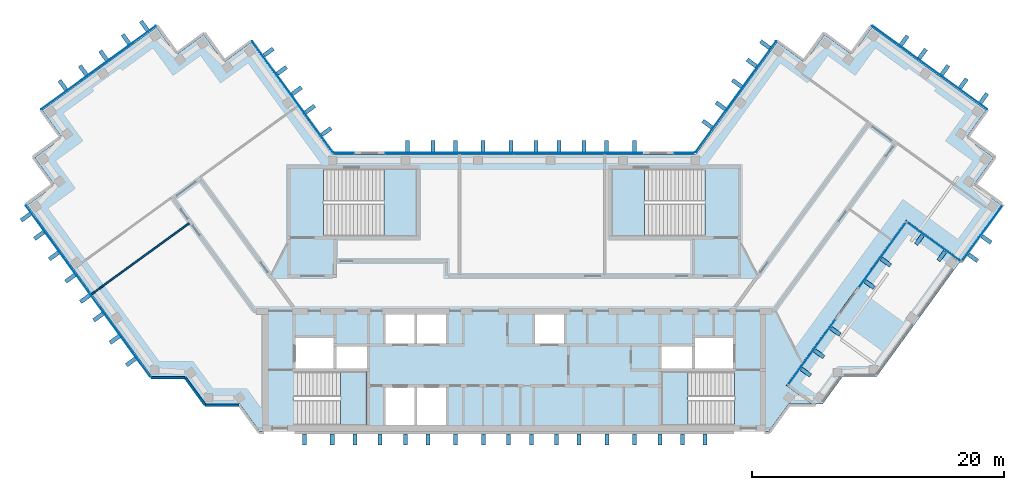
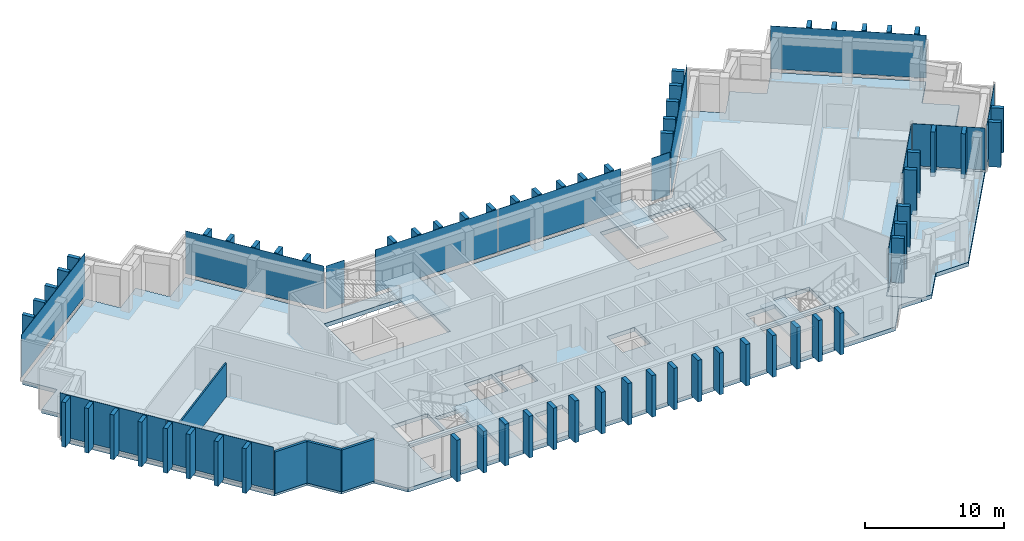
"""IFC4 building model written with IfcOpenShell, lengths in metres."""

import ifcopenshell
import ifcopenshell.guid

model = None  # the IFC model being written
_history = None  # IfcOwnerHistory: only IFC2X3 demands one
_inside = {}  # id of a spatial element -> (the spatial element, [elements in it])
_under = {}  # id of a project, library or spatial element -> (it, [spatial elements below it])
_declared = {}  # id of a project -> (the project, [libraries it declares])
_typed = {}  # id of a type object -> (the type object, [elements of that type])
_made_of = {}  # id of a material, layer set ... -> (it, [elements and type objects made of it])


def new_model(schema):
    """Start an empty IFC model of exactly this schema.

    Asked for "IFC4X3", IfcOpenShell would pick the latest addendum, in which some entities
    have other attributes; the version numbers below select the first issue.
    IFC2X3 requires an IfcOwnerHistory on every rooted entity: one is made here for all.
    """
    global model, _history
    if schema == "IFC4X3":
        model = ifcopenshell.file(schema_version=(4, 3, 0, 0))
    else:
        model = ifcopenshell.file(schema=schema)
    _inside.clear()
    _under.clear()
    _declared.clear()
    _typed.clear()
    _made_of.clear()
    _history = None
    if model.schema == "IFC2X3":
        org = make("IfcOrganization", Name="unknown")
        user = make(
            "IfcPersonAndOrganization",
            ThePerson=make("IfcPerson", FamilyName="unknown"),
            TheOrganization=org,
        )
        app = make(
            "IfcApplication",
            ApplicationDeveloper=org,
            Version="unknown",
            ApplicationFullName="unknown",
            ApplicationIdentifier="unknown",
        )
        _history = make(
            "IfcOwnerHistory",
            OwningUser=user,
            OwningApplication=app,
            ChangeAction="ADDED",
            CreationDate=0,
        )
    return model


def make(cls, **values):
    """One entity of the class cls with the attributes given. An attribute that is None is left unset."""
    return model.create_entity(
        cls, **{name: value for name, value in values.items() if value is not None}
    )


def rooted(cls, **values):
    """An entity with a GlobalId (a new one), such as an element, a storey or a relation."""
    return make(cls, GlobalId=ifcopenshell.guid.new(), OwnerHistory=_history, **values)


def si_unit(unit_type, name, prefix=None):
    """IfcSIUnit, for example si_unit("LENGTHUNIT", "METRE", prefix="MILLI")."""
    return make("IfcSIUnit", UnitType=unit_type, Prefix=prefix, Name=name)


def assignment(units):
    """IfcUnitAssignment: the units of a project."""
    return None if units is None else make("IfcUnitAssignment", Units=units)


def point(xyz):
    """IfcCartesianPoint."""
    return None if xyz is None else make("IfcCartesianPoint", Coordinates=xyz)


def direction(xyz):
    """IfcDirection."""
    return None if xyz is None else make("IfcDirection", DirectionRatios=xyz)


def frame(location, z_axis=None, x_axis=None):
    """IfcAxis2Placement3D, a coordinate frame: its origin and axes. An axis left out is left unset."""
    return make(
        "IfcAxis2Placement3D",
        Location=point(location),
        Axis=direction(z_axis),
        RefDirection=direction(x_axis),
    )


def frame_2d(location, x_axis=None):
    """IfcAxis2Placement2D, a coordinate frame in the plane: its origin and x axis."""
    return make(
        "IfcAxis2Placement2D", Location=point(location), RefDirection=direction(x_axis)
    )


def origin():
    """The frame at (0, 0, 0) with its axes left unset."""
    return frame((0.0, 0.0, 0.0))


def origin_2d():
    """The frame at (0, 0) in the plane with its x axis left unset."""
    return frame_2d((0.0, 0.0))


def place(relative_to, where):
    """IfcLocalPlacement: puts the frame where relative to a parent placement (None: the world)."""
    return make(
        "IfcLocalPlacement", PlacementRelTo=relative_to, RelativePlacement=where
    )


def context(
    kind, dimensions, precision=None, world=None, true_north=None, identifier=None
):
    """IfcGeometricRepresentationContext, for example the 3D "Model" context."""
    return make(
        "IfcGeometricRepresentationContext",
        ContextIdentifier=identifier,
        ContextType=kind,
        CoordinateSpaceDimension=dimensions,
        Precision=precision,
        WorldCoordinateSystem=world,
        TrueNorth=true_north,
    )


def subcontext(parent, identifier, kind, view, scale=None):
    """IfcGeometricRepresentationSubContext, for example "Body" below "Model"."""
    return make(
        "IfcGeometricRepresentationSubContext",
        ContextIdentifier=identifier,
        ContextType=kind,
        ParentContext=parent,
        TargetScale=scale,
        TargetView=view,
    )


def project(units=None, contexts=None):
    """IfcProject with its units and contexts."""
    return rooted(
        "IfcProject",
        Name="project",
        RepresentationContexts=contexts,
        UnitsInContext=assignment(units),
    )


def spatial(cls, under=None, at=None, **own):
    """A site, building, storey or space (cls), placed at a placement, below another one or the project."""
    s = rooted(cls, ObjectPlacement=at, **own)
    if under is not None:
        _under.setdefault(under.id(), (under, []))[1].append(s)
    return s


def polyline(points):
    """IfcPolyline through the points."""
    return make("IfcPolyline", Points=[point(p) for p in points])


def profile(cls, at=None, kind="AREA", **sizes):
    """A parametric profile (cls). Its sizes go by their IFC names, for example OverallWidth=200.0."""
    return make(cls, ProfileType=kind, Position=at, **sizes)


def rectangle(**sizes):
    """IfcRectangleProfileDef."""
    return profile("IfcRectangleProfileDef", **sizes)


def outline(outer, holes=None, kind="AREA"):
    """IfcArbitraryClosedProfileDef: a profile drawn as a closed curve; with holes, ...WithVoids."""
    if holes is None:
        return make("IfcArbitraryClosedProfileDef", ProfileType=kind, OuterCurve=outer)
    return make(
        "IfcArbitraryProfileDefWithVoids",
        ProfileType=kind,
        OuterCurve=outer,
        InnerCurves=holes,
    )


def extrude(swept, where, along, depth):
    """IfcExtrudedAreaSolid: the profile swept, set in the frame where, extruded along a direction by depth."""
    return make(
        "IfcExtrudedAreaSolid",
        SweptArea=swept,
        Position=where,
        ExtrudedDirection=direction(along),
        Depth=depth,
    )


def shape(context_of_items, identifier, shape_type, items):
    """IfcShapeRepresentation: the items that make up one representation, for example the "Body"."""
    return make(
        "IfcShapeRepresentation",
        ContextOfItems=context_of_items,
        RepresentationIdentifier=identifier,
        RepresentationType=shape_type,
        Items=items,
    )


def material(Name=None, Category=None):
    """IfcMaterial."""
    return make("IfcMaterial", Name=Name, Category=Category)


def layer(
    of_material, thickness, ventilated=None, Name=None, Category=None, Priority=None
):
    """IfcMaterialLayer: one layer of a wall or slab, of a material (None: an air gap)."""
    return make(
        "IfcMaterialLayer",
        Material=of_material,
        LayerThickness=thickness,
        IsVentilated=ventilated,
        Name=Name,
        Category=Category,
        Priority=Priority,
    )


def layer_set(layers, Name=None):
    """IfcMaterialLayerSet."""
    return make("IfcMaterialLayerSet", MaterialLayers=layers, LayerSetName=Name)


def made_of(thing, what):
    """Note that an element or type object is made of a material, layer set ...; save() writes the relation."""
    if what is not None:
        _made_of.setdefault(what.id(), (what, []))[1].append(thing)
    return thing


def type_object(cls, material=None, **own):
    """A type object (cls), such as IfcWallType, which elements share."""
    return made_of(rooted(cls, **own), material)


def element(
    cls,
    number,
    at=None,
    inside=None,
    cuts=None,
    type_object=None,
    material=None,
    context=None,
    identifier="Body",
    shape_type=None,
    held_by="IfcProductDefinitionShape",
    body=None,
    shapes=None,
    **own,
):
    """One element of the class cls, such as IfcWall. Its Tag is "e" and its number.

    at: its placement. inside: the storey or other place that contains it. cuts: it is an
    opening in that element (IfcRelVoidsElement). A single representation is given by context,
    identifier, shape_type and body (its items); several are given by shapes. held_by: the class
    of the entity that holds the representations. save() writes the other relations.
    """
    e = rooted(cls, Tag="e%d" % number, ObjectPlacement=at, **own)
    if body is not None:
        shapes = [shape(context, identifier, shape_type, body)]
    if shapes is not None:
        e.Representation = make(held_by, Representations=shapes)
    if inside is not None:
        _inside.setdefault(inside.id(), (inside, []))[1].append(e)
    if cuts is not None:
        rooted(
            "IfcRelVoidsElement", RelatingBuildingElement=cuts, RelatedOpeningElement=e
        )
    if type_object is not None:
        _typed.setdefault(type_object.id(), (type_object, []))[1].append(e)
    return made_of(e, material)


def aggregate(whole, parts):
    """IfcRelAggregates: a whole, such as a stair, and the parts it consists of."""
    return rooted("IfcRelAggregates", RelatingObject=whole, RelatedObjects=parts)


def save(model, path):
    """Write the relations noted so far, then the file.

    IfcRelAggregates (storeys below a building ...), IfcRelContainedInSpatialStructure (elements
    in a storey), IfcRelDefinesByType, IfcRelAssociatesMaterial and IfcRelDeclares: one each for
    every whole, place, type object, material and project.
    """
    for whole, parts in _under.values():
        aggregate(whole, parts)
    for where, things in _inside.values():
        rooted(
            "IfcRelContainedInSpatialStructure",
            RelatedElements=things,
            RelatingStructure=where,
        )
    for kind, things in _typed.values():
        rooted("IfcRelDefinesByType", RelatedObjects=things, RelatingType=kind)
    for what, things in _made_of.values():
        rooted("IfcRelAssociatesMaterial", RelatedObjects=things, RelatingMaterial=what)
    for by, libraries in _declared.values():
        rooted("IfcRelDeclares", RelatingContext=by, RelatedDefinitions=libraries)
    model.write(path)


model = new_model("IFC4")

# Units and contexts
model_context = context("Model", 3, precision=1e-05, world=origin(), true_north=direction((0.0, 1.0)))
body_context = subcontext(model_context, "Body", "Model", "MODEL_VIEW")
ifc_project = project(units=[si_unit("LENGTHUNIT", "METRE"), si_unit("AREAUNIT", "SQUARE_METRE"), si_unit("VOLUMEUNIT", "CUBIC_METRE"), si_unit("PLANEANGLEUNIT", "RADIAN"), si_unit("MASSUNIT", "GRAM", prefix="KILO")], contexts=[model_context])

# Site, building, storey
site_placement = place(None, origin())
site = spatial("IfcSite", under=ifc_project, at=site_placement, CompositionType="ELEMENT")
building_placement = place(site_placement, origin())
building = spatial("IfcBuilding", under=site, at=building_placement, Name="Quipu Civic Tower", CompositionType="ELEMENT")
storey_1_placement = place(building_placement, frame((0.0, 0.0, 319.0)))
storey_1 = spatial("IfcBuildingStorey", under=building, at=storey_1_placement, Name="L74", CompositionType="ELEMENT", Elevation=319.0)

# Slab
ifc_material_1 = material(Name="Concrete C40/50", Category="concrete")
ifc_layer_1 = layer(ifc_material_1, 0.35009765625)
ifc_layer_set_1 = layer_set([ifc_layer_1], Name="Concrete C40/50")
slab_type_1 = type_object("IfcSlabType", Name="Floor slab 350 C40/50", PredefinedType="FLOOR", material=ifc_layer_set_1)
slab_1_placement = place(storey_1_placement, frame((0.0, 0.0, -0.35009765625)))
element("IfcSlab", 1, at=slab_1_placement, inside=storey_1, type_object=slab_type_1, Name="Floor slab L74", PredefinedType="FLOOR", context=body_context, shape_type="SweptSolid", body=[
    extrude(outline(polyline([(-20.205078125, -11.0), (-21.7900390625, -8.81494140625), (-24.489990234375, -8.81494140625), (-26.080078125, -6.6298828125), (-28.780029296875, -6.6298828125), (-38.655029296875, 6.965087890625), (-36.469970703125, 8.550048828125), (-38.06005859375, 10.735107421875), (-35.875, 12.320068359375), (-37.4599609375, 14.5048828125), (-28.39990234375, 21.090087890625), (-26.81494140625, 18.905029296875), (-24.6298828125, 20.4951171875), (-23.0400390625, 18.31005859375), (-20.860107421875, 19.89501953125), (-14.39501953125, 11.0), (14.39501953125, 11.0), (20.860107421875, 19.89501953125), (23.0400390625, 18.31005859375), (24.6298828125, 20.4951171875), (26.81494140625, 18.905029296875), (28.39990234375, 21.090087890625), (37.4599609375, 14.5048828125), (35.875, 12.320068359375), (38.06005859375, 10.735107421875), (36.469970703125, 8.550048828125), (38.655029296875, 6.965087890625), (35.47998046875, 2.594970703125), (31.114990234375, 5.77001953125), (21.590087890625, -7.3349609375), (23.625, -8.81494140625), (21.7900390625, -8.81494140625), (20.205078125, -11.0), (-20.205078125, -11.0)]), holes=[polyline([(-10.199951171875, -10.5), (-7.89990234375, -10.5), (-7.89990234375, -7.5), (-10.199951171875, -7.5), (-10.199951171875, -10.5)]), polyline([(-7.699951171875, -7.5), (-7.699951171875, -10.5), (-5.39990234375, -10.5), (-5.39990234375, -7.5), (-7.699951171875, -7.5)]), polyline([(-11.705078125, -6.2548828125), (-17.4951171875, -6.2548828125), (-17.4951171875, -10.4951171875), (-11.705078125, -10.4951171875), (-11.705078125, -6.2548828125)]), polyline([(-14.10009765625, -6.0), (-11.699951171875, -6.0), (-11.699951171875, -4.25), (-14.10009765625, -4.25), (-14.10009765625, -6.0)]), polyline([(-17.35009765625, -3.60009765625), (-17.35009765625, -6.0), (-14.35009765625, -6.0), (-14.35009765625, -3.60009765625), (-17.35009765625, -3.60009765625)]), polyline([(-10.199951171875, -1.699951171875), (-10.199951171875, -4.0), (-7.89990234375, -4.0), (-7.89990234375, -1.699951171875), (-10.199951171875, -1.699951171875)]), polyline([(-15.14501953125, 9.844970703125), (-15.14501953125, 4.5048828125), (-7.7548828125, 4.5048828125), (-7.7548828125, 9.844970703125), (-15.14501953125, 9.844970703125)]), polyline([(11.705078125, -10.4951171875), (17.4951171875, -10.4951171875), (17.4951171875, -6.2548828125), (11.705078125, -6.2548828125), (11.705078125, -10.4951171875)]), polyline([(11.699951171875, -4.25), (11.699951171875, -6.0), (14.10009765625, -6.0), (14.10009765625, -4.25), (11.699951171875, -4.25)]), polyline([(14.35009765625, -3.60009765625), (14.35009765625, -6.0), (17.35009765625, -6.0), (17.35009765625, -3.60009765625), (14.35009765625, -3.60009765625)]), polyline([(-7.699951171875, -1.699951171875), (-7.699951171875, -4.0), (-5.39990234375, -4.0), (-5.39990234375, -1.699951171875), (-7.699951171875, -1.699951171875)]), polyline([(1.64990234375, -1.699951171875), (1.64990234375, -4.0), (3.949951171875, -4.0), (3.949951171875, -1.699951171875), (1.64990234375, -1.699951171875)]), polyline([(7.7548828125, 4.5048828125), (15.14501953125, 4.5048828125), (15.14501953125, 9.844970703125), (7.7548828125, 9.844970703125), (7.7548828125, 4.5048828125)])]), origin(), (0.0, 0.0, 1.0), 0.35009765625),
])

# Curtain wall, plate
ifc_material_2 = material(Name="Insulated glass unit", Category="glass")
curtain_wall_type = type_object("IfcCurtainWallType", Name="Office curtain wall CW1", PredefinedType="NOTDEFINED", material=ifc_material_2)
curtain_wall_1_placement = place(storey_1_placement, origin())
curtain_wall_1 = element("IfcCurtainWall", 2, at=curtain_wall_1_placement, inside=storey_1, type_object=curtain_wall_type, Name="Office curtain wall CW1 L74 run 3", PredefinedType="NOTDEFINED")
ifc_material_3 = material(Name="Insulated glass unit", Category="glass")
ifc_layer_2 = layer(ifc_material_3, 0.028076171875)
ifc_layer_set_2 = layer_set([ifc_layer_2], Name="Insulated glass unit")
plate_type_1 = type_object("IfcPlateType", Name="Glass panel CW1", PredefinedType="CURTAIN_PANEL", material=ifc_layer_set_2)
plate_1_placement = place(storey_1_placement, frame((23.64697265625, -4.677734375, 0.240234375), z_axis=(0.0, 0.0, 1.0), x_axis=(0.587783041125, 0.809018600878, 0.0)))
plate_1 = element("IfcPlate", 3, at=plate_1_placement, type_object=plate_type_1, Name="CW1 panel 1.1", PredefinedType="CURTAIN_PANEL", context=body_context, shape_type="SweptSolid", body=[
    extrude(rectangle(XDim=6.3583984375, YDim=0.028076171875, at=origin_2d()), origin(), (0.0, 0.0, 1.0), 3.679931640625),
])
aggregate(curtain_wall_1, [plate_1])

curtain_wall_2_placement = place(storey_1_placement, origin())
curtain_wall_2 = element("IfcCurtainWall", 4, at=curtain_wall_2_placement, inside=storey_1, type_object=curtain_wall_type, Name="Office curtain wall CW1 L74 run 5", PredefinedType="NOTDEFINED")
plate_2_placement = place(storey_1_placement, frame((29.219970703125, 2.992919921875, 0.240234375), z_axis=(0.0, 0.0, 1.0), x_axis=(0.587778491936, 0.809021906018, 0.0)))
plate_2 = element("IfcPlate", 5, at=plate_2_placement, type_object=plate_type_1, Name="CW1 panel 1.1", PredefinedType="CURTAIN_PANEL", context=body_context, shape_type="SweptSolid", body=[
    extrude(rectangle(XDim=6.358642578125, YDim=0.028076171875, at=origin_2d()), origin(), (0.0, 0.0, 1.0), 3.679931640625),
])
aggregate(curtain_wall_2, [plate_2])

curtain_wall_3_placement = place(storey_1_placement, origin())
curtain_wall_3 = element("IfcCurtainWall", 6, at=curtain_wall_3_placement, inside=storey_1, type_object=curtain_wall_type, Name="Office curtain wall CW1 L74 run 6", PredefinedType="NOTDEFINED")
plate_3_placement = place(storey_1_placement, frame((33.320068359375, 4.042724609375, 0.240234375), z_axis=(0.0, 0.0, 1.0), x_axis=(0.809021075291, -0.587779635352, 0.0)))
plate_3 = element("IfcPlate", 7, at=plate_3_placement, type_object=plate_type_1, Name="CW1 panel 1.1", PredefinedType="CURTAIN_PANEL", context=body_context, shape_type="SweptSolid", body=[
    extrude(rectangle(XDim=5.239990234375, YDim=0.028076171875, at=origin_2d()), origin(), (0.0, 0.0, 1.0), 3.679931640625),
])
aggregate(curtain_wall_3, [plate_3])

curtain_wall_4_placement = place(storey_1_placement, origin())
curtain_wall_4 = element("IfcCurtainWall", 8, at=curtain_wall_4_placement, inside=storey_1, type_object=curtain_wall_type, Name="Office curtain wall CW1 L74 run 7", PredefinedType="NOTDEFINED")
plate_4_placement = place(storey_1_placement, frame((37.150390625, 4.720947265625, 0.240234375), z_axis=(0.0, 0.0, 1.0), x_axis=(0.587793636059, 0.809010903145, 0.0)))
plate_4 = element("IfcPlate", 9, at=plate_4_placement, type_object=plate_type_1, Name="CW1 panel 1.1", PredefinedType="CURTAIN_PANEL", context=body_context, shape_type="SweptSolid", body=[
    extrude(rectangle(XDim=5.43994140625, YDim=0.028076171875, at=origin_2d()), origin(), (0.0, 0.0, 1.0), 3.679931640625),
])
aggregate(curtain_wall_4, [plate_4])

# Storey
storey_2_placement = place(building_placement, frame((0.0, 0.0, 323.0)))
storey_2 = spatial("IfcBuildingStorey", under=building, at=storey_2_placement, Name="L75", CompositionType="ELEMENT", Elevation=323.0)

# Curtain wall, plate
curtain_wall_5_placement = place(storey_2_placement, origin())
curtain_wall_5 = element("IfcCurtainWall", 10, at=curtain_wall_5_placement, inside=storey_2, type_object=curtain_wall_type, Name="Office curtain wall CW1 L74 run 8", PredefinedType="NOTDEFINED")
plate_5_placement = place(storey_1_placement, frame((-17.590087890625, 15.5673828125, 0.240234375), z_axis=(0.0, 0.0, 1.0), x_axis=(-0.587787771652, 0.809015163947, 0.0)))
plate_5 = element("IfcPlate", 11, at=plate_5_placement, inside=storey_1, type_object=plate_type_1, Name="CW1 panel 1.1", PredefinedType="CURTAIN_PANEL", context=body_context, shape_type="SweptSolid", body=[
    extrude(rectangle(XDim=10.88427734375, YDim=0.028076171875, at=origin_2d()), origin(), (0.0, 0.0, 1.0), 3.760009765625),
])
aggregate(curtain_wall_5, [plate_5])

curtain_wall_6_placement = place(storey_2_placement, origin())
curtain_wall_6 = element("IfcCurtainWall", 12, at=curtain_wall_6_placement, inside=storey_2, type_object=curtain_wall_type, Name="Office curtain wall CW1 L74 run 13", PredefinedType="NOTDEFINED")
plate_6_placement = place(storey_1_placement, frame((-32.989990234375, 17.87939453125, 0.240234375), z_axis=(0.0, 0.0, 1.0), x_axis=(-0.809015176832, -0.587787753918, 0.0)))
plate_6 = element("IfcPlate", 13, at=plate_6_placement, inside=storey_1, type_object=plate_type_1, Name="CW1 panel 1.1", PredefinedType="CURTAIN_PANEL", context=body_context, shape_type="SweptSolid", body=[
    extrude(rectangle(XDim=11.239990234375, YDim=0.028076171875, at=origin_2d()), origin(), (0.0, 0.0, 1.0), 3.760009765625),
])
aggregate(curtain_wall_6, [plate_6])

# Curtain wall, plates
curtain_wall_7_placement = place(storey_2_placement, origin())
curtain_wall_7 = element("IfcCurtainWall", 14, at=curtain_wall_7_placement, inside=storey_2, type_object=curtain_wall_type, Name="Office curtain wall CW1 L74 run 18", PredefinedType="NOTDEFINED")
plate_7_placement = place(storey_1_placement, frame((-36.292724609375, 3.54052734375, 0.240234375), z_axis=(0.0, 0.0, 1.0), x_axis=(0.587786237643, -0.809016278475, 0.0)))
plate_7 = element("IfcPlate", 15, at=plate_7_placement, inside=storey_1, type_object=plate_type_1, Name="CW1 panel 1.1", PredefinedType="CURTAIN_PANEL", context=body_context, shape_type="SweptSolid", body=[
    extrude(rectangle(XDim=8.35791015625, YDim=0.028076171875, at=origin_2d()), origin(), (0.0, 0.0, 1.0), 3.760009765625),
])
plate_8_placement = place(storey_1_placement, frame((-31.333251953125, -3.285888671875, 0.240234375), z_axis=(0.0, 0.0, 1.0), x_axis=(0.587786237643, -0.809016278475, 0.0)))
plate_8 = element("IfcPlate", 16, at=plate_8_placement, inside=storey_1, type_object=plate_type_1, Name="CW1 panel 2.1", PredefinedType="CURTAIN_PANEL", context=body_context, shape_type="SweptSolid", body=[
    extrude(rectangle(XDim=8.35791015625, YDim=0.028076171875, at=origin_2d()), origin(), (0.0, 0.0, 1.0), 3.760009765625),
])
aggregate(curtain_wall_7, [plate_7, plate_8])

# Curtain wall, plate
curtain_wall_8_placement = place(storey_2_placement, origin())
curtain_wall_8 = element("IfcCurtainWall", 17, at=curtain_wall_8_placement, inside=storey_2, type_object=curtain_wall_type, Name="Office curtain wall CW1 L74 run 28", PredefinedType="NOTDEFINED")
plate_9_placement = place(storey_1_placement, frame((32.989990234375, 17.87939453125, 0.240234375), z_axis=(0.0, 0.0, 1.0), x_axis=(-0.809015176832, 0.587787753918, 0.0)))
plate_9 = element("IfcPlate", 18, at=plate_9_placement, inside=storey_1, type_object=plate_type_1, Name="CW1 panel 1.1", PredefinedType="CURTAIN_PANEL", context=body_context, shape_type="SweptSolid", body=[
    extrude(rectangle(XDim=11.239990234375, YDim=0.028076171875, at=origin_2d()), origin(), (0.0, 0.0, 1.0), 3.760009765625),
])
aggregate(curtain_wall_8, [plate_9])

curtain_wall_9_placement = place(storey_2_placement, origin())
curtain_wall_9 = element("IfcCurtainWall", 19, at=curtain_wall_9_placement, inside=storey_2, type_object=curtain_wall_type, Name="Office curtain wall CW1 L74 run 33", PredefinedType="NOTDEFINED")
plate_10_placement = place(storey_1_placement, frame((17.590087890625, 15.5673828125, 0.240234375), z_axis=(0.0, 0.0, 1.0), x_axis=(-0.587787771652, -0.809015163947, 0.0)))
plate_10 = element("IfcPlate", 20, at=plate_10_placement, inside=storey_1, type_object=plate_type_1, Name="CW1 panel 1.1", PredefinedType="CURTAIN_PANEL", context=body_context, shape_type="SweptSolid", body=[
    extrude(rectangle(XDim=10.88427734375, YDim=0.028076171875, at=origin_2d()), origin(), (0.0, 0.0, 1.0), 3.760009765625),
])
aggregate(curtain_wall_9, [plate_10])

curtain_wall_10_placement = place(storey_2_placement, origin())
curtain_wall_10 = element("IfcCurtainWall", 21, at=curtain_wall_10_placement, inside=storey_2, type_object=curtain_wall_type, Name="Office curtain wall CW1 L74 run 34", PredefinedType="NOTDEFINED")
plate_11_placement = place(storey_1_placement, frame((13.49951171875, 11.10009765625, 0.240234375), z_axis=(0.0, 0.0, 1.0), x_axis=(-1.0, 0.0, 0.0)))
plate_11 = element("IfcPlate", 22, at=plate_11_placement, inside=storey_1, type_object=plate_type_1, Name="CW1 panel 1.1", PredefinedType="CURTAIN_PANEL", context=body_context, shape_type="SweptSolid", body=[
    extrude(rectangle(XDim=1.529296875, YDim=0.028076171875, at=origin_2d()), origin(), (0.0, 0.0, 1.0), 3.760009765625),
])
aggregate(curtain_wall_10, [plate_11])

# Curtain wall, plates
curtain_wall_11_placement = place(storey_2_placement, origin())
curtain_wall_11 = element("IfcCurtainWall", 23, at=curtain_wall_11_placement, inside=storey_2, type_object=curtain_wall_type, Name="Office curtain wall CW1 L74 run 36", PredefinedType="NOTDEFINED")
plate_12_placement = place(storey_1_placement, frame((5.11181640625, 11.10009765625, 0.240234375), z_axis=(0.0, 0.0, 1.0), x_axis=(-1.0, 0.0, 0.0)))
plate_12 = element("IfcPlate", 24, at=plate_12_placement, inside=storey_1, type_object=plate_type_1, Name="CW1 panel 1.1", PredefinedType="CURTAIN_PANEL", context=body_context, shape_type="SweptSolid", body=[
    extrude(rectangle(XDim=10.1435546875, YDim=0.028076171875, at=origin_2d()), origin(), (0.0, 0.0, 1.0), 3.760009765625),
])
plate_13_placement = place(storey_1_placement, frame((-5.11181640625, 11.10009765625, 0.240234375), z_axis=(0.0, 0.0, 1.0), x_axis=(-1.0, 0.0, 0.0)))
plate_13 = element("IfcPlate", 25, at=plate_13_placement, inside=storey_1, type_object=plate_type_1, Name="CW1 panel 2.1", PredefinedType="CURTAIN_PANEL", context=body_context, shape_type="SweptSolid", body=[
    extrude(rectangle(XDim=10.1435546875, YDim=0.028076171875, at=origin_2d()), origin(), (0.0, 0.0, 1.0), 3.760009765625),
])
aggregate(curtain_wall_11, [plate_12, plate_13])

# Curtain wall, plate
curtain_wall_12_placement = place(storey_2_placement, origin())
curtain_wall_12 = element("IfcCurtainWall", 26, at=curtain_wall_12_placement, inside=storey_2, type_object=curtain_wall_type, Name="Office curtain wall CW1 L74 run 38", PredefinedType="NOTDEFINED")
plate_14_placement = place(storey_1_placement, frame((-13.49951171875, 11.10009765625, 0.240234375), z_axis=(0.0, 0.0, 1.0), x_axis=(-1.0, 0.0, 0.0)))
plate_14 = element("IfcPlate", 27, at=plate_14_placement, inside=storey_1, type_object=plate_type_1, Name="CW1 panel 1.1", PredefinedType="CURTAIN_PANEL", context=body_context, shape_type="SweptSolid", body=[
    extrude(rectangle(XDim=1.529296875, YDim=0.028076171875, at=origin_2d()), origin(), (0.0, 0.0, 1.0), 3.760009765625),
])
aggregate(curtain_wall_12, [plate_14])

# Plates
ifc_material_4 = material(Name="Precast concrete C40/50", Category="concrete")
plate_type_2 = type_object("IfcPlateType", Name="Precast fin F3", PredefinedType="SHEET", material=ifc_material_4)
for number, where, z_axis, x_axis, name in (
    (28, (23.15185546875, -6.294921875, 0.080078125), (0.0, 0.0, 1.0), (0.587783675566, 0.809018139931, 0.0), "Precast fin F3 L74.3.1"),
    (29, (24.2099609375, -4.838623046875, 0.080078125), (0.0, 0.0, 1.0), (0.587783675566, 0.809018139931, 0.0), "Precast fin F3 L74.3.2"),
    (30, (25.503173828125, -3.058837890625, 0.080078125), (0.0, 0.0, 1.0), (0.587783675566, 0.809018139931, 0.0), "Precast fin F3 L74.3.3"),
    (31, (28.206787109375, 0.66259765625, 0.080078125), (0.0, 0.0, 1.0), (0.587783675566, 0.809018139931, 0.0), "Precast fin F3 L74.5.1"),
    (32, (29.5, 2.4423828125, 0.080078125), (0.0, 0.0, 1.0), (0.587783675566, 0.809018139931, 0.0), "Precast fin F3 L74.5.2"),
    (33, (32.155517578125, 4.208984375, 0.080078125), (0.0, 0.0, 1.0), (0.809021075291, -0.587779635352, 0.0), "Precast fin F3 L74.6.1"),
    (34, (33.935302734375, 2.916015625, 0.080078125), (0.0, 0.0, 1.0), (0.809021075291, -0.587779635352, 0.0), "Precast fin F3 L74.6.2"),
    (35, (36.425537109375, 2.787841796875, 0.080078125), (0.0, 0.0, 1.0), (0.587788441518, 0.809014677257, 0.0), "Precast fin F3 L74.7.1"),
    (36, (37.483642578125, 4.243896484375, 0.080078125), (0.0, 0.0, 1.0), (0.587788441518, 0.809014677257, 0.0), "Precast fin F3 L74.7.2"),
    (37, (-14.90380859375, 12.805908203125, 0.080078125), (0.0, 0.0, 1.0), (-0.58778443384, 0.809017589015, 0.0), "Precast fin F3 L74.8.1"),
    (38, (-16.197021484375, 14.585693359375, 0.080078125), (0.0, 0.0, 1.0), (-0.58778443384, 0.809017589015, 0.0), "Precast fin F3 L74.8.2"),
    (39, (-17.2548828125, 16.0419921875, 0.080078125), (0.0, 0.0, 1.0), (-0.58778443384, 0.809017589015, 0.0), "Precast fin F3 L74.8.3"),
    (40, (-18.4306640625, 17.66015625, 0.080078125), (0.0, 0.0, 1.0), (-0.58778443384, 0.809017589015, 0.0), "Precast fin F3 L74.8.4"),
    (41, (-19.488525390625, 19.1162109375, 0.080078125), (0.0, 0.0, 1.0), (-0.58778443384, 0.809017589015, 0.0), "Precast fin F3 L74.8.5"),
    (42, (-29.357177734375, 21.198486328125, 0.080078125), (0.0, 0.0, 1.0), (-0.809017072762, -0.587785144401, 0.0), "Precast fin F3 L74.13.1"),
    (43, (-30.8134765625, 20.140625, 0.080078125), (0.0, 0.0, 1.0), (-0.809017072762, -0.587785144401, 0.0), "Precast fin F3 L74.13.2"),
    (44, (-32.59326171875, 18.847412109375, 0.080078125), (0.0, 0.0, 1.0), (-0.809017072762, -0.587785144401, 0.0), "Precast fin F3 L74.13.3"),
    (45, (-34.21142578125, 17.671875, 0.080078125), (0.0, 0.0, 1.0), (-0.809017072762, -0.587785144401, 0.0), "Precast fin F3 L74.13.4"),
    (46, (-35.829345703125, 16.496337890625, 0.080078125), (0.0, 0.0, 1.0), (-0.809017072762, -0.587785144401, 0.0), "Precast fin F3 L74.13.5"),
    (47, (-38.764892578125, 6.007568359375, 0.080078125), (0.0, 0.0, 1.0), (0.587786668783, -0.809015965233, 0.0), "Precast fin F3 L74.18.1"),
    (48, (-37.70703125, 4.55126953125, 0.080078125), (0.0, 0.0, 1.0), (0.587786668783, -0.809015965233, 0.0), "Precast fin F3 L74.18.2"),
    (49, (-36.53125, 2.933349609375, 0.080078125), (0.0, 0.0, 1.0), (0.587786668783, -0.809015965233, 0.0), "Precast fin F3 L74.18.3"),
    (50, (-35.23828125, 1.1533203125, 0.080078125), (0.0, 0.0, 1.0), (0.587786668783, -0.809015965233, 0.0), "Precast fin F3 L74.18.4"),
    (51, (-34.062744140625, -0.464599609375, 0.080078125), (0.0, 0.0, 1.0), (0.587786668783, -0.809015965233, 0.0), "Precast fin F3 L74.18.5"),
    (52, (-33.004638671875, -1.9208984375, 0.080078125), (0.0, 0.0, 1.0), (0.587786668783, -0.809015965233, 0.0), "Precast fin F3 L74.18.6"),
    (53, (-31.71142578125, -3.70068359375, 0.080078125), (0.0, 0.0, 1.0), (0.587786668783, -0.809015965233, 0.0), "Precast fin F3 L74.18.7"),
    (54, (-30.41845703125, -5.48046875, 0.080078125), (0.0, 0.0, 1.0), (0.587786668783, -0.809015965233, 0.0), "Precast fin F3 L74.18.8"),
):
    element("IfcPlate", number, at=place(storey_1_placement, frame(where, z_axis=z_axis, x_axis=x_axis)), inside=storey_1, type_object=plate_type_2, Name=name, PredefinedType="SHEET", context=body_context, shape_type="SweptSolid", body=[
        extrude(rectangle(XDim=0.320068359375, YDim=0.89990234375, at=origin_2d()), origin(), (0.0, 0.0, 1.0), 3.919921875),
    ])
for number, where, z_axis, x_axis, name in (
    (55, (-16.639892578125, -11.637939453125, 0.0), (0.0, 0.0, 1.0), (1.0, 0.0, 0.0), "Precast fin F3 L74.24.1"),
    (56, (-14.43994140625, -11.637939453125, 0.0), (0.0, 0.0, 1.0), (1.0, 0.0, 0.0), "Precast fin F3 L74.24.2"),
    (57, (-12.639892578125, -11.637939453125, 0.0), (0.0, 0.0, 1.0), (1.0, 0.0, 0.0), "Precast fin F3 L74.24.3"),
    (58, (-10.639892578125, -11.637939453125, 0.0), (0.0, 0.0, 1.0), (1.0, 0.0, 0.0), "Precast fin F3 L74.24.4"),
    (59, (-8.639892578125, -11.637939453125, 0.0), (0.0, 0.0, 1.0), (1.0, 0.0, 0.0), "Precast fin F3 L74.24.5"),
    (60, (-6.840087890625, -11.637939453125, 0.0), (0.0, 0.0, 1.0), (1.0, 0.0, 0.0), "Precast fin F3 L74.24.6"),
    (61, (-4.639892578125, -11.637939453125, 0.0), (0.0, 0.0, 1.0), (1.0, 0.0, 0.0), "Precast fin F3 L74.24.7"),
    (62, (-2.43994140625, -11.637939453125, 0.0), (0.0, 0.0, 1.0), (1.0, 0.0, 0.0), "Precast fin F3 L74.24.8"),
    (63, (-0.43994140625, -11.637939453125, 0.0), (0.0, 0.0, 1.0), (1.0, 0.0, 0.0), "Precast fin F3 L74.24.9"),
    (64, (1.360107421875, -11.637939453125, 0.0), (0.0, 0.0, 1.0), (1.0, 0.0, 0.0), "Precast fin F3 L74.24.10"),
    (65, (3.360107421875, -11.637939453125, 0.0), (0.0, 0.0, 1.0), (1.0, 0.0, 0.0), "Precast fin F3 L74.24.11"),
    (66, (5.159912109375, -11.637939453125, 0.0), (0.0, 0.0, 1.0), (1.0, 0.0, 0.0), "Precast fin F3 L74.24.12"),
    (67, (7.360107421875, -11.637939453125, 0.0), (0.0, 0.0, 1.0), (1.0, 0.0, 0.0), "Precast fin F3 L74.24.13"),
    (68, (9.56005859375, -11.637939453125, 0.0), (0.0, 0.0, 1.0), (1.0, 0.0, 0.0), "Precast fin F3 L74.24.14"),
    (69, (11.56005859375, -11.637939453125, 0.0), (0.0, 0.0, 1.0), (1.0, 0.0, 0.0), "Precast fin F3 L74.24.15"),
    (70, (13.360107421875, -11.637939453125, 0.0), (0.0, 0.0, 1.0), (1.0, 0.0, 0.0), "Precast fin F3 L74.24.16"),
    (71, (15.159912109375, -11.637939453125, 0.0), (0.0, 0.0, 1.0), (1.0, 0.0, 0.0), "Precast fin F3 L74.24.17"),
):
    element("IfcPlate", number, at=place(storey_1_placement, frame(where, z_axis=z_axis, x_axis=x_axis)), inside=storey_1, type_object=plate_type_2, Name=name, PredefinedType="SHEET", context=body_context, shape_type="SweptSolid", body=[
        extrude(rectangle(XDim=0.320068359375, YDim=0.89990234375, at=origin_2d()), origin(), (0.0, 0.0, 1.0), 3.64990234375),
    ])
for number, where, z_axis, x_axis, name in (
    (72, (37.26953125, 15.449951171875, 0.080078125), (0.0, 0.0, 1.0), (-0.809017072762, 0.587785144401, 0.0), "Precast fin F3 L74.28.1"),
    (73, (35.6513671875, 16.62548828125, 0.080078125), (0.0, 0.0, 1.0), (-0.809017072762, 0.587785144401, 0.0), "Precast fin F3 L74.28.2"),
    (74, (34.1953125, 17.68359375, 0.080078125), (0.0, 0.0, 1.0), (-0.809017072762, 0.587785144401, 0.0), "Precast fin F3 L74.28.3"),
    (75, (32.415283203125, 18.976806640625, 0.080078125), (0.0, 0.0, 1.0), (-0.809017072762, 0.587785144401, 0.0), "Precast fin F3 L74.28.4"),
    (76, (30.959228515625, 20.03466796875, 0.080078125), (0.0, 0.0, 1.0), (-0.809017072762, 0.587785144401, 0.0), "Precast fin F3 L74.28.5"),
    (77, (19.914794921875, 19.702880859375, 0.080078125), (0.0, 0.0, 1.0), (-0.58778443384, -0.809017589015, 0.0), "Precast fin F3 L74.33.1"),
    (78, (18.856689453125, 18.246826171875, 0.080078125), (0.0, 0.0, 1.0), (-0.58778443384, -0.809017589015, 0.0), "Precast fin F3 L74.33.2"),
    (79, (17.68115234375, 16.628662109375, 0.080078125), (0.0, 0.0, 1.0), (-0.58778443384, -0.809017589015, 0.0), "Precast fin F3 L74.33.3"),
    (80, (16.38818359375, 14.848876953125, 0.080078125), (0.0, 0.0, 1.0), (-0.58778443384, -0.809017589015, 0.0), "Precast fin F3 L74.33.4"),
    (81, (15.330078125, 13.392578125, 0.080078125), (0.0, 0.0, 1.0), (-0.58778443384, -0.809017589015, 0.0), "Precast fin F3 L74.33.5"),
    (82, (9.5400390625, 11.64990234375, 0.080078125), (0.0, 0.0, 1.0), (-1.0, 0.0, 0.0), "Precast fin F3 L74.36.1"),
    (83, (7.340087890625, 11.64990234375, 0.080078125), (0.0, 0.0, 1.0), (-1.0, 0.0, 0.0), "Precast fin F3 L74.36.2"),
    (84, (5.5400390625, 11.64990234375, 0.080078125), (0.0, 0.0, 1.0), (-1.0, 0.0, 0.0), "Precast fin F3 L74.36.3"),
    (85, (3.5400390625, 11.64990234375, 0.080078125), (0.0, 0.0, 1.0), (-1.0, 0.0, 0.0), "Precast fin F3 L74.36.4"),
    (86, (1.739990234375, 11.64990234375, 0.080078125), (0.0, 0.0, 1.0), (-1.0, 0.0, 0.0), "Precast fin F3 L74.36.5"),
    (87, (-0.260009765625, 11.64990234375, 0.080078125), (0.0, 0.0, 1.0), (-1.0, 0.0, 0.0), "Precast fin F3 L74.36.6"),
    (88, (-2.4599609375, 11.64990234375, 0.080078125), (0.0, 0.0, 1.0), (-1.0, 0.0, 0.0), "Precast fin F3 L74.36.7"),
    (89, (-4.659912109375, 11.64990234375, 0.080078125), (0.0, 0.0, 1.0), (-1.0, 0.0, 0.0), "Precast fin F3 L74.36.8"),
    (90, (-6.4599609375, 11.64990234375, 0.080078125), (0.0, 0.0, 1.0), (-1.0, 0.0, 0.0), "Precast fin F3 L74.36.9"),
    (91, (-8.4599609375, 11.64990234375, 0.080078125), (0.0, 0.0, 1.0), (-1.0, 0.0, 0.0), "Precast fin F3 L74.36.10"),
):
    element("IfcPlate", number, at=place(storey_1_placement, frame(where, z_axis=z_axis, x_axis=x_axis)), inside=storey_1, type_object=plate_type_2, Name=name, PredefinedType="SHEET", context=body_context, shape_type="SweptSolid", body=[
        extrude(rectangle(XDim=0.320068359375, YDim=0.89990234375, at=origin_2d()), origin(), (0.0, 0.0, 1.0), 3.919921875),
    ])

# Stair, slab
ifc_material_5 = material(Name="Concrete C40/50", Category="concrete")
stair_type_1 = type_object("IfcStairType", Name="Half turn stair 2000", PredefinedType="HALF_TURN_STAIR", material=ifc_material_5)
stair_1_placement = place(storey_1_placement, origin())
stair_1 = element("IfcStair", 92, at=stair_1_placement, inside=storey_1, type_object=stair_type_1, Name="Exit stair 1", PredefinedType="HALF_TURN_STAIR")
ifc_material_6 = material(Name="Concrete C40/50", Category="concrete")
ifc_layer_3 = layer(ifc_material_6, 0.199951171875)
ifc_layer_set_3 = layer_set([ifc_layer_3], Name="Concrete C40/50")
slab_type_2 = type_object("IfcSlabType", Name="Stair landing 200", PredefinedType="LANDING", material=ifc_layer_set_3)
slab_2_placement = place(storey_1_placement, frame((0.0, 0.0, 1.800048828125)))
slab_2 = element("IfcSlab", 93, at=slab_2_placement, type_object=slab_type_2, Name="ST-1 landing 1", PredefinedType="LANDING", context=body_context, shape_type="SweptSolid", body=[
    extrude(outline(polyline([(-13.780029296875, -10.5), (-11.699951171875, -10.5), (-11.699951171875, -6.25), (-13.780029296875, -6.25), (-13.780029296875, -10.5)])), origin(), (0.0, 0.0, 1.0), 0.199951171875),
])
aggregate(stair_1, [slab_2])

stair_2_placement = place(storey_1_placement, origin())
stair_2 = element("IfcStair", 94, at=stair_2_placement, inside=storey_1, type_object=stair_type_1, Name="Exit stair 2", PredefinedType="HALF_TURN_STAIR")
slab_3_placement = place(storey_1_placement, frame((0.0, 0.0, 1.800048828125)))
slab_3 = element("IfcSlab", 95, at=slab_3_placement, type_object=slab_type_2, Name="ST-2 landing 1", PredefinedType="LANDING", context=body_context, shape_type="SweptSolid", body=[
    extrude(outline(polyline([(13.780029296875, -6.25), (11.699951171875, -6.25), (11.699951171875, -10.5), (13.780029296875, -10.5), (13.780029296875, -6.25)])), origin(), (0.0, 0.0, 1.0), 0.199951171875),
])
aggregate(stair_2, [slab_3])

ifc_material_7 = material(Name="Concrete C40/50", Category="concrete")
stair_type_2 = type_object("IfcStairType", Name="Half turn stair 2600", PredefinedType="HALF_TURN_STAIR", material=ifc_material_7)
stair_3_placement = place(storey_1_placement, origin())
stair_3 = element("IfcStair", 96, at=stair_3_placement, inside=storey_1, type_object=stair_type_2, Name="Exit stair 3", PredefinedType="HALF_TURN_STAIR")
slab_4_placement = place(storey_1_placement, frame((0.0, 0.0, 1.800048828125)))
slab_4 = element("IfcSlab", 97, at=slab_4_placement, type_object=slab_type_2, Name="ST-3 landing 1", PredefinedType="LANDING", context=body_context, shape_type="SweptSolid", body=[
    extrude(outline(polyline([(-10.35009765625, 4.5), (-7.75, 4.5), (-7.75, 9.85009765625), (-10.35009765625, 9.85009765625), (-10.35009765625, 4.5)])), origin(), (0.0, 0.0, 1.0), 0.199951171875),
])
aggregate(stair_3, [slab_4])

stair_4_placement = place(storey_1_placement, origin())
stair_4 = element("IfcStair", 98, at=stair_4_placement, inside=storey_1, type_object=stair_type_2, Name="Exit stair 4", PredefinedType="HALF_TURN_STAIR")
slab_5_placement = place(storey_1_placement, frame((0.0, 0.0, 1.800048828125)))
slab_5 = element("IfcSlab", 99, at=slab_5_placement, type_object=slab_type_2, Name="ST-4 landing 1", PredefinedType="LANDING", context=body_context, shape_type="SweptSolid", body=[
    extrude(outline(polyline([(10.35009765625, 9.85009765625), (7.75, 9.85009765625), (7.75, 4.5), (10.35009765625, 4.5), (10.35009765625, 9.85009765625)])), origin(), (0.0, 0.0, 1.0), 0.199951171875),
])
aggregate(stair_4, [slab_5])

# Slab
ifc_material_8 = material(Name="Concrete C40/50", Category="concrete")
ifc_layer_4 = layer(ifc_material_8, 0.35009765625)
ifc_layer_set_4 = layer_set([ifc_layer_4], Name="Concrete C40/50")
slab_type_3 = type_object("IfcSlabType", Name="Terrace slab 350 C40/50", PredefinedType="FLOOR", material=ifc_layer_set_4)
slab_6_placement = place(storey_1_placement, frame((0.0, 0.0, -0.35009765625)))
element("IfcSlab", 100, at=slab_6_placement, inside=storey_1, type_object=slab_type_3, Name="Terrace slab L74", PredefinedType="FLOOR", context=body_context, shape_type="SweptSolid", body=[
    extrude(outline(polyline([(35.47998046875, 2.594970703125), (28.780029296875, -6.6298828125), (26.080078125, -6.6298828125), (24.489990234375, -8.81494140625), (23.625, -8.81494140625), (21.590087890625, -7.3349609375), (31.114990234375, 5.77001953125), (35.47998046875, 2.594970703125)])), origin(), (0.0, 0.0, 1.0), 0.35009765625),
])

# Walls
ifc_material_9 = material(Name="Gypsum plasterboard on light gauge framing")
ifc_layer_5 = layer(ifc_material_9, 0.1201171875)
ifc_layer_set_5 = layer_set([ifc_layer_5], Name="Gypsum plasterboard on light gauge framing")
wall_type_1 = type_object("IfcWallType", Name="Partition 120 plasterboard", PredefinedType="PARTITIONING", material=ifc_layer_set_5)
wall_1_placement = place(storey_1_placement, frame((-25.80224609375, 5.518798828125, 0.0), z_axis=(0.0, 0.0, 1.0), x_axis=(-0.808994179369, -0.587816653173, 0.0)))
element("IfcWall", 101, at=wall_1_placement, inside=storey_1, type_object=wall_type_1, Name="Partition P06", PredefinedType="PARTITIONING", context=body_context, shape_type="SweptSolid", body=[
    extrude(rectangle(XDim=9.650634765625, YDim=0.1201171875, at=frame_2d((4.8251953125, 0.0))), origin(), (0.0, 0.0, 1.0), 2.949951171875),
])
ifc_material_10 = material(Name="Precast concrete C40/50", Category="concrete")
wall_type_2 = type_object("IfcWallType", Name="Precast cladding wall", PredefinedType="SOLIDWALL", material=ifc_material_10)
wall_2_placement = place(storey_1_placement, frame((-28.829833984375, -6.71923828125, 0.0), z_axis=(0.0, 0.0, 1.0), x_axis=(1.0, 0.0, 0.0)))
element("IfcWall", 102, at=wall_2_placement, inside=storey_1, type_object=wall_type_2, Name="Precast cladding wall L74 19", PredefinedType="SOLIDWALL", context=body_context, shape_type="SweptSolid", body=[
    extrude(rectangle(XDim=2.699951171875, YDim=0.199951171875, at=frame_2d((1.35009765625, 0.0))), origin(), (0.0, 0.0, 1.0), 3.64990234375),
])
wall_3_placement = place(storey_1_placement, frame((-26.1201171875, -6.72412109375, 0.0), z_axis=(0.0, 0.0, 1.0), x_axis=(0.587720002413, -0.809064397168, 0.0)))
element("IfcWall", 103, at=wall_3_placement, inside=storey_1, type_object=wall_type_2, Name="Precast cladding wall L74 20", PredefinedType="SOLIDWALL", context=body_context, shape_type="SweptSolid", body=[
    extrude(rectangle(XDim=2.7001953125, YDim=0.199951171875, at=frame_2d((1.35009765625, 0.0))), origin(), (0.0, 0.0, 1.0), 3.64990234375),
])
wall_4_placement = place(storey_1_placement, frame((-24.542724609375, -8.90380859375, 0.0), z_axis=(0.0, 0.0, 1.0), x_axis=(1.0, 0.0, 0.0)))
element("IfcWall", 104, at=wall_4_placement, inside=storey_1, type_object=wall_type_2, Name="Precast cladding wall L74 21", PredefinedType="SOLIDWALL", context=body_context, shape_type="SweptSolid", body=[
    extrude(rectangle(XDim=2.699951171875, YDim=0.199951171875, at=frame_2d((1.35009765625, 0.0))), origin(), (0.0, 0.0, 1.0), 3.64990234375),
])

save(model, "model.ifc")
